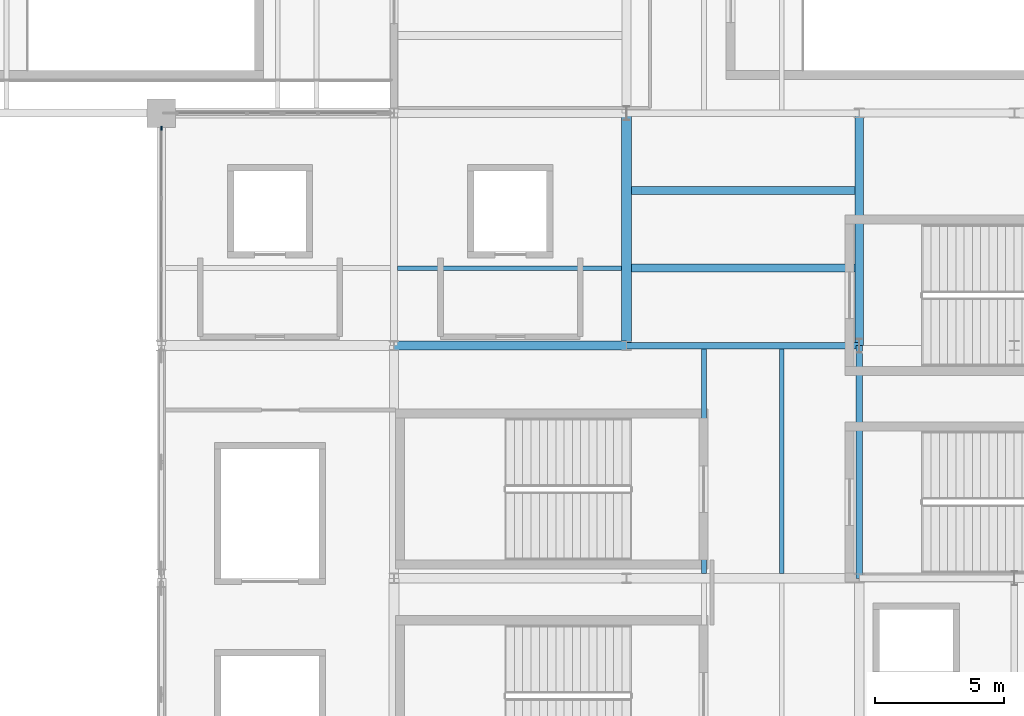
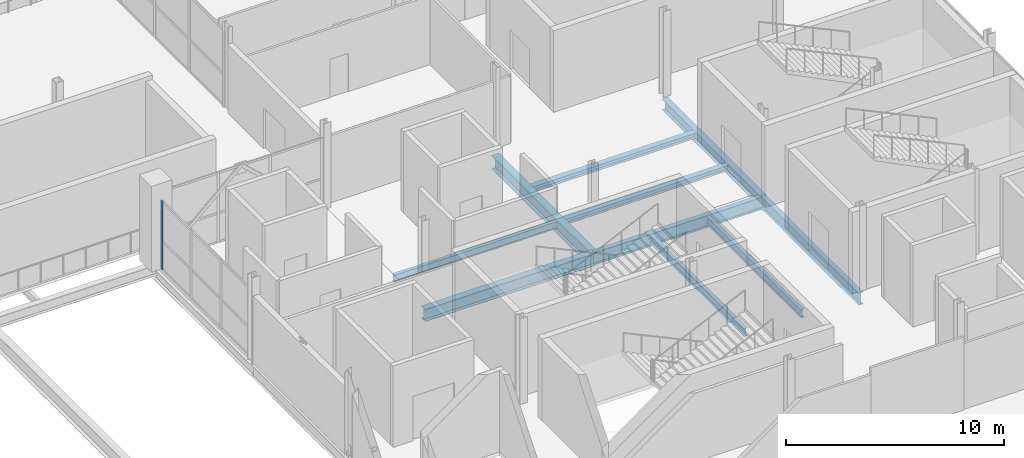
# One storey, part 19 of 50: 10 beams, 1 member, 1 element without a shape of its own.
"""IFC4 building model written with IfcOpenShell, lengths in metres."""

from ifc_helpers import new_model, si_unit, direction, frame, origin, origin_2d, place, context, subcontext, project, spatial, rectangle, i_section, extrude, material, layer, layer_set, material_profile, profile_set, type_object, element, aggregate, save


model = new_model("IFC4")

# Units and contexts
model_context = context("Model", 3, precision=1e-05, world=origin(), true_north=direction((0.0, 1.0)))
body_context = subcontext(model_context, "Body", "Model", "MODEL_VIEW")
ifc_project = project(units=[si_unit("LENGTHUNIT", "METRE"), si_unit("AREAUNIT", "SQUARE_METRE"), si_unit("VOLUMEUNIT", "CUBIC_METRE"), si_unit("PLANEANGLEUNIT", "RADIAN"), si_unit("MASSUNIT", "GRAM", prefix="KILO")], contexts=[model_context])

# Site, building, storey
site_placement = place(None, origin())
site = spatial("IfcSite", under=ifc_project, at=site_placement, CompositionType="ELEMENT")
building_placement = place(site_placement, origin())
building = spatial("IfcBuilding", under=site, at=building_placement, Name="Qamarlyn Nura Convention Centre", CompositionType="ELEMENT")
storey_placement = place(building_placement, frame((0.0, 0.0, 20.39990234375)))
storey = spatial("IfcBuildingStorey", under=building, at=storey_placement, Name="L04", CompositionType="ELEMENT", Elevation=20.39990234375)

# Beams
ifc_material_1 = material(Name="Steel ASTM A992", Category="steel")
ifc_material_profile_1 = material_profile(ifc_material_1, i_section(OverallWidth=0.323974609375, OverallDepth=0.611083984375, WebThickness=0.0126953125, FlangeThickness=0.01904296875, FilletRadius=0.01611328125, at=origin_2d()), Name="W610X155")
ifc_profile_set_1 = profile_set([ifc_material_profile_1], Name="Steel ASTM A992")
beam_type_1 = type_object("IfcBeamType", Name="BM-GIRD-610", PredefinedType="BEAM", material=ifc_profile_set_1)
beam_1_placement = place(storey_placement, frame((180.0, 72.0, -0.50537109375), z_axis=(0.0, 1.0, 0.0), x_axis=(-1.0, 0.0, 0.0)))
element("IfcBeam", 1, at=beam_1_placement, inside=storey, type_object=beam_type_1, Name="L04 girder 16 J-K", PredefinedType="BEAM", context=body_context, shape_type="SweptSolid", body=[
    extrude(i_section(OverallWidth=0.323974609375, OverallDepth=0.611083984375, WebThickness=0.0126953125, FlangeThickness=0.01904296875, FilletRadius=0.01611328125, at=origin_2d()), origin(), (0.0, 0.0, 1.0), 9.0),
])
ifc_material_profile_2 = material_profile(ifc_material_1, i_section(OverallWidth=0.35498046875, OverallDepth=0.695068359375, WebThickness=0.015380859375, FlangeThickness=0.02490234375, FilletRadius=0.01806640625, at=origin_2d()), Name="W690X217")
ifc_profile_set_2 = profile_set([ifc_material_profile_2], Name="Steel ASTM A992")
beam_type_2 = type_object("IfcBeamType", Name="BM-GIRD-690A", PredefinedType="BEAM", material=ifc_profile_set_2)
beam_2_placement = place(storey_placement, frame((162.0, 72.0, -0.54736328125), z_axis=(1.0, 0.0, 0.0), x_axis=(0.0, 1.0, 0.0)))
element("IfcBeam", 2, at=beam_2_placement, inside=storey, type_object=beam_type_2, Name="L04 girder J 14-15", PredefinedType="BEAM", context=body_context, shape_type="SweptSolid", body=[
    extrude(i_section(OverallWidth=0.35498046875, OverallDepth=0.695068359375, WebThickness=0.015380859375, FlangeThickness=0.02490234375, FilletRadius=0.01806640625, at=origin_2d()), origin(), (0.0, 0.0, 1.0), 9.0),
])
ifc_material_profile_3 = material_profile(ifc_material_1, i_section(OverallWidth=0.25390625, OverallDepth=0.68408203125, WebThickness=0.012451171875, FlangeThickness=0.01904296875, FilletRadius=0.01806640625, at=origin_2d()), Name="W690X140")
ifc_profile_set_3 = profile_set([ifc_material_profile_3], Name="Steel ASTM A992")
beam_type_3 = type_object("IfcBeamType", Name="BM-GIRD-690B", PredefinedType="BEAM", material=ifc_profile_set_3)
for number, where, z_axis, x_axis, name in (
    (3, (171.0, 72.0, -0.5419921875), (1.0, 0.0, 0.0), (0.0, 1.0, 0.0), "L04 girder J 15-16"),
    (4, (180.0, 63.0, -0.5419921875), (0.0, 1.0, 0.0), (-1.0, 0.0, 0.0), "L04 girder 16 H-J"),
):
    element("IfcBeam", number, at=place(storey_placement, frame(where, z_axis=z_axis, x_axis=x_axis)), inside=storey, type_object=beam_type_3, Name=name, PredefinedType="BEAM", context=body_context, shape_type="SweptSolid", body=[
        extrude(i_section(OverallWidth=0.25390625, OverallDepth=0.68408203125, WebThickness=0.012451171875, FlangeThickness=0.01904296875, FilletRadius=0.01806640625, at=origin_2d()), origin(), (0.0, 0.0, 1.0), 9.0),
    ])
ifc_material_profile_4 = material_profile(ifc_material_1, i_section(OverallWidth=0.381103515625, OverallDepth=0.77294921875, WebThickness=0.0166015625, FlangeThickness=0.027587890625, FilletRadius=0.02001953125, at=origin_2d()), Name="W760X257")
ifc_profile_set_4 = profile_set([ifc_material_profile_4], Name="Steel ASTM A992")
beam_type_4 = type_object("IfcBeamType", Name="BM-GIRD-760", PredefinedType="BEAM", material=ifc_profile_set_4)
beam_3_placement = place(storey_placement, frame((171.0, 72.0, -0.58642578125), z_axis=(0.0, 1.0, 0.0), x_axis=(-1.0, 0.0, 0.0)))
element("IfcBeam", 5, at=beam_3_placement, inside=storey, type_object=beam_type_4, Name="L04 girder 15 J-K", PredefinedType="BEAM", context=body_context, shape_type="SweptSolid", body=[
    extrude(i_section(OverallWidth=0.381103515625, OverallDepth=0.77294921875, WebThickness=0.0166015625, FlangeThickness=0.027587890625, FilletRadius=0.02001953125, at=origin_2d()), origin(), (0.0, 0.0, 1.0), 9.0),
])
ifc_material_profile_5 = material_profile(ifc_material_1, i_section(OverallWidth=0.304931640625, OverallDepth=0.30810546875, WebThickness=0.010009765625, FlangeThickness=0.015380859375, FilletRadius=0.014892578125, at=origin_2d()), Name="W310X97")
ifc_profile_set_5 = profile_set([ifc_material_profile_5], Name="Steel ASTM A992")
beam_type_5 = type_object("IfcBeamType", Name="BM-JOIST-310", PredefinedType="JOIST", material=ifc_profile_set_5)
for number, where, z_axis, x_axis, name in (
    (6, (171.1904296875, 75.0, -0.35400390625), (1.0, 0.0, 0.0), (0.0, 1.0, 0.0), "L04 composite joist 15-16/J+1"),
    (7, (171.1904296875, 78.0, -0.35400390625), (1.0, 0.0, 0.0), (0.0, 1.0, 0.0), "L04 composite joist 15-16/J+2"),
):
    element("IfcBeam", number, at=place(storey_placement, frame(where, z_axis=z_axis, x_axis=x_axis)), inside=storey, type_object=beam_type_5, Name=name, PredefinedType="JOIST", context=body_context, shape_type="SweptSolid", body=[
        extrude(i_section(OverallWidth=0.304931640625, OverallDepth=0.30810546875, WebThickness=0.010009765625, FlangeThickness=0.015380859375, FilletRadius=0.014892578125, at=origin_2d()), origin(), (0.0, 0.0, 1.0), 8.6474609375),
    ])
ifc_material_profile_6 = material_profile(ifc_material_1, i_section(OverallWidth=0.177978515625, OverallDepth=0.406982421875, WebThickness=0.0078125, FlangeThickness=0.0126953125, FilletRadius=0.011962890625, at=origin_2d()), Name="W410X60")
ifc_profile_set_6 = profile_set([ifc_material_profile_6], Name="Steel ASTM A992")
beam_type_6 = type_object("IfcBeamType", Name="BM-JOIST-410", PredefinedType="JOIST", material=ifc_profile_set_6)
beam_4_placement = place(storey_placement, frame((162.126953125, 75.0, -0.4033203125), z_axis=(1.0, 0.0, 0.0), x_axis=(0.0, 1.0, 0.0)))
element("IfcBeam", 8, at=beam_4_placement, inside=storey, type_object=beam_type_6, Name="L04 composite joist 14-15/J+1", PredefinedType="JOIST", context=body_context, shape_type="SweptSolid", body=[
    extrude(i_section(OverallWidth=0.177978515625, OverallDepth=0.406982421875, WebThickness=0.0078125, FlangeThickness=0.0126953125, FilletRadius=0.011962890625, at=origin_2d()), origin(), (0.0, 0.0, 1.0), 8.6826171875),
])
ifc_material_profile_7 = material_profile(ifc_material_1, i_section(OverallWidth=0.18994140625, OverallDepth=0.45703125, WebThickness=0.009033203125, FlangeThickness=0.014404296875, FilletRadius=0.012939453125, at=origin_2d()), Name="W460X74")
ifc_profile_set_7 = profile_set([ifc_material_profile_7], Name="Steel ASTM A992")
beam_type_7 = type_object("IfcBeamType", Name="BM-JOIST-460", PredefinedType="JOIST", material=ifc_profile_set_7)
for number, where, z_axis, x_axis, name in (
    (9, (174.0, 63.177490234375, -0.428466796875), (0.0, 1.0, 0.0), (-1.0, 0.0, 0.0), "L04 secondary joist 15-16/H-J-48"),
    (10, (177.0, 63.177490234375, -0.428466796875), (0.0, 1.0, 0.0), (-1.0, 0.0, 0.0), "L04 secondary joist 15-16/H-J-49"),
):
    element("IfcBeam", number, at=place(storey_placement, frame(where, z_axis=z_axis, x_axis=x_axis)), inside=storey, type_object=beam_type_7, Name=name, PredefinedType="JOIST", context=body_context, shape_type="SweptSolid", body=[
        extrude(i_section(OverallWidth=0.18994140625, OverallDepth=0.45703125, WebThickness=0.009033203125, FlangeThickness=0.014404296875, FilletRadius=0.012939453125, at=origin_2d()), origin(), (0.0, 0.0, 1.0), 8.695556640625),
    ])

# Curtain wall, member
ifc_material_2 = material(Name="Double-silver low-E insulated glass", Category="glass")
ifc_layer = layer(ifc_material_2, 0.179931640625, Name="CW-UNIT-145")
ifc_layer_set = layer_set([ifc_layer], Name="Double-silver low-E insulated glass")
curtain_wall_type = type_object("IfcCurtainWallType", Name="CW-UNIT-145", PredefinedType="NOTDEFINED", material=ifc_layer_set)
curtain_wall_placement = place(storey_placement, origin())
curtain_wall = element("IfcCurtainWall", 11, at=curtain_wall_placement, inside=storey, type_object=curtain_wall_type, Name="L04 unitised curtain wall FF3W-72-1", PredefinedType="NOTDEFINED")
ifc_material_3 = material(Name="Champagne-anodised marine aluminium", Category="aluminium")
ifc_material_profile_8 = material_profile(ifc_material_3, rectangle(XDim=0.06494140625, YDim=0.159912109375, at=origin_2d()), Name="ALU MULLION 65x160")
ifc_profile_set_8 = profile_set([ifc_material_profile_8], Name="Champagne-anodised marine aluminium")
member_type = type_object("IfcMemberType", Name="CWM-160", PredefinedType="MULLION", material=ifc_profile_set_8)
member_placement = place(storey_placement, frame((153.0, 80.41748046875, 0.0), z_axis=(0.0, 0.0, 1.0), x_axis=(-1.0, 0.0, 0.0)))
member = element("IfcMember", 12, at=member_placement, type_object=member_type, Name="CW145 mullion 4", PredefinedType="MULLION", context=body_context, shape_type="SweptSolid", body=[
    extrude(rectangle(XDim=0.06494140625, YDim=0.159912109375, at=origin_2d()), origin(), (0.0, 0.0, 1.0), 3.85009765625),
])
aggregate(curtain_wall, [member])

save(model, "model.ifc")
